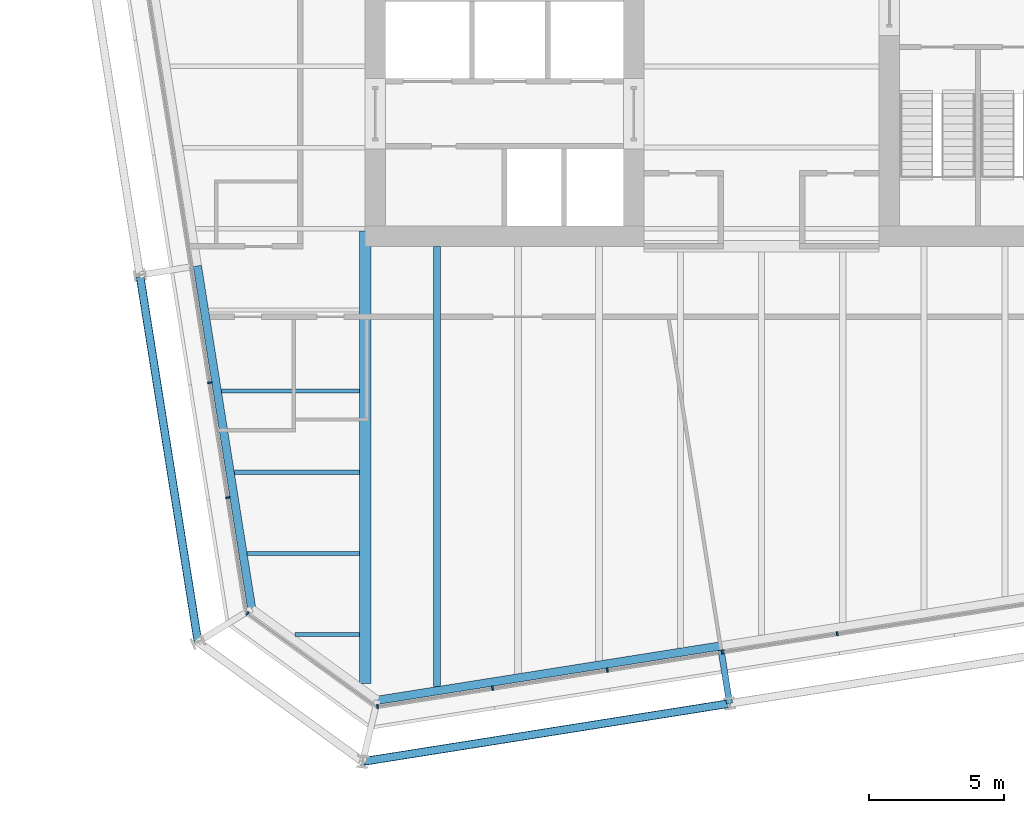
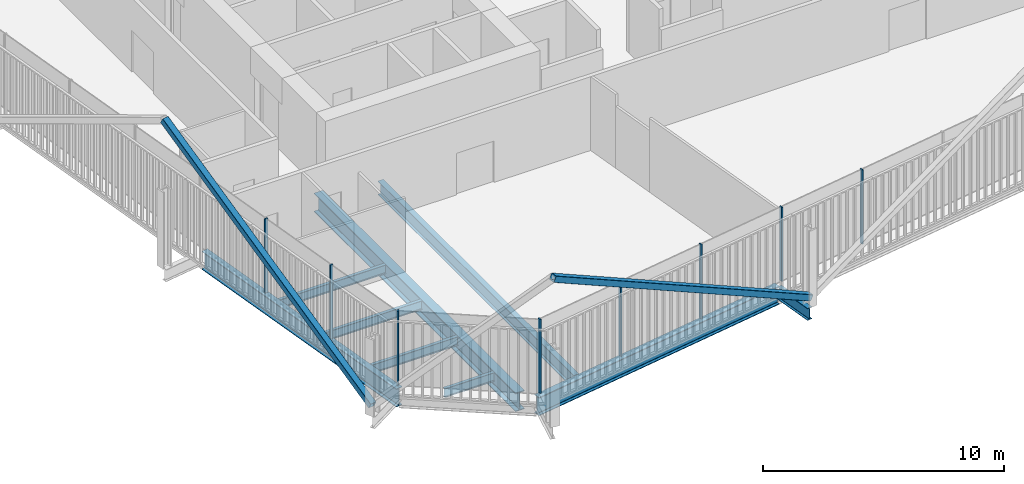
# One storey, part 2 of 22: 10 members, 9 beams, 3 elements without a shape of their own.
"""IFC4 building model written with IfcOpenShell, lengths in metres."""

from ifc_helpers import new_model, si_unit, direction, frame, origin, origin_2d, place, context, subcontext, project, spatial, rectangle, hollow_rectangle, i_section, extrude, material, layer, layer_set, material_profile, profile_set, type_object, element, aggregate, save


model = new_model("IFC4")

# Units and contexts
model_context = context("Model", 3, precision=1e-05, world=origin(), true_north=direction((0.0, 1.0)))
body_context = subcontext(model_context, "Body", "Model", "MODEL_VIEW")
ifc_project = project(units=[si_unit("LENGTHUNIT", "METRE"), si_unit("AREAUNIT", "SQUARE_METRE"), si_unit("VOLUMEUNIT", "CUBIC_METRE"), si_unit("PLANEANGLEUNIT", "RADIAN"), si_unit("MASSUNIT", "GRAM", prefix="KILO")], contexts=[model_context])

# Site, building, storey
site_placement = place(None, origin())
site = spatial("IfcSite", under=ifc_project, at=site_placement, CompositionType="ELEMENT")
building_placement = place(site_placement, origin())
building = spatial("IfcBuilding", under=site, at=building_placement, Name="Millrace Tower", CompositionType="ELEMENT")
storey_placement = place(building_placement, frame((0.0, 0.0, 160.699951171875)))
storey = spatial("IfcBuildingStorey", under=building, at=storey_placement, Name="L36", CompositionType="ELEMENT", Elevation=160.699951171875)

# Curtain wall, member
ifc_material_1 = material(Name="Aluminium and glass", Category="aluminium")
ifc_layer = layer(ifc_material_1, 0.14990234375)
ifc_layer_set = layer_set([ifc_layer], Name="Aluminium and glass")
curtain_wall_type = type_object("IfcCurtainWallType", Name="CW-1 office vision curtain wall", PredefinedType="NOTDEFINED", material=ifc_layer_set)
placement = place(storey_placement, origin())
curtain_wall_1 = element("IfcCurtainWall", 1, at=placement, inside=storey, type_object=curtain_wall_type, Name="Curtain wall C-F01 L36", PredefinedType="NOTDEFINED")
ifc_material_2 = material(Name="Aluminium", Category="aluminium")
ifc_material_profile_1 = material_profile(ifc_material_2, rectangle(XDim=0.06494140625, YDim=0.14990234375, at=origin_2d()))
ifc_profile_set_1 = profile_set([ifc_material_profile_1], Name="Aluminium")
member_type_1 = type_object("IfcMemberType", Name="CW-1 office vision curtain wall mullion", PredefinedType="MULLION", material=ifc_profile_set_1)
member_1_placement = place(storey_placement, frame((-19.00146484375, -23.2177734375, 0.14013671875), z_axis=(0.0, 0.0, 1.0), x_axis=(0.809016981623, -0.587785269844, 0.0)))
member_1 = element("IfcMember", 2, at=member_1_placement, type_object=member_type_1, Name="CW1 mullion C-F01.1", PredefinedType="MULLION", context=body_context, shape_type="SweptSolid", body=[
    extrude(rectangle(XDim=0.06494140625, YDim=0.14990234375, at=origin_2d()), origin(), (0.0, 0.0, 1.0), 3.760009765625),
])
aggregate(curtain_wall_1, [member_1])

# Curtain wall, members
curtain_wall_2 = element("IfcCurtainWall", 3, at=placement, inside=storey, type_object=curtain_wall_type, Name="Curtain wall C-F02 L36", PredefinedType="NOTDEFINED")
member_2_placement = place(storey_placement, frame((-14.191650390625, -26.65673828125, 0.14013671875), z_axis=(0.0, 0.0, 1.0), x_axis=(0.98768833929, 0.15643447328, 0.0)))
member_2 = element("IfcMember", 4, at=member_2_placement, type_object=member_type_1, Name="CW1 mullion C-F02.1", PredefinedType="MULLION", context=body_context, shape_type="SweptSolid", body=[
    extrude(rectangle(XDim=0.06494140625, YDim=0.14990234375, at=origin_2d()), origin(), (0.0, 0.0, 1.0), 3.760009765625),
])
member_3_placement = place(storey_placement, frame((-9.944580078125, -25.98388671875, 0.14013671875), z_axis=(0.0, 0.0, 1.0), x_axis=(0.98768833929, 0.15643447328, 0.0)))
member_3 = element("IfcMember", 5, at=member_3_placement, type_object=member_type_1, Name="CW1 mullion C-F02.2", PredefinedType="MULLION", context=body_context, shape_type="SweptSolid", body=[
    extrude(rectangle(XDim=0.06494140625, YDim=0.14990234375, at=origin_2d()), origin(), (0.0, 0.0, 1.0), 3.760009765625),
])
member_4_placement = place(storey_placement, frame((-5.697509765625, -25.311279296875, 0.14013671875), z_axis=(0.0, 0.0, 1.0), x_axis=(0.98768833929, 0.15643447328, 0.0)))
member_4 = element("IfcMember", 6, at=member_4_placement, type_object=member_type_1, Name="CW1 mullion C-F02.3", PredefinedType="MULLION", context=body_context, shape_type="SweptSolid", body=[
    extrude(rectangle(XDim=0.06494140625, YDim=0.14990234375, at=origin_2d()), origin(), (0.0, 0.0, 1.0), 3.760009765625),
])
member_5_placement = place(storey_placement, frame((-1.450439453125, -24.638671875, 0.14013671875), z_axis=(0.0, 0.0, 1.0), x_axis=(0.98768833929, 0.15643447328, 0.0)))
member_5 = element("IfcMember", 7, at=member_5_placement, type_object=member_type_1, Name="CW1 mullion C-F02.4", PredefinedType="MULLION", context=body_context, shape_type="SweptSolid", body=[
    extrude(rectangle(XDim=0.06494140625, YDim=0.14990234375, at=origin_2d()), origin(), (0.0, 0.0, 1.0), 3.760009765625),
])
member_6_placement = place(storey_placement, frame((2.796630859375, -23.966064453125, 0.14013671875), z_axis=(0.0, 0.0, 1.0), x_axis=(0.98768833929, 0.15643447328, 0.0)))
member_6 = element("IfcMember", 8, at=member_6_placement, type_object=member_type_1, Name="CW1 mullion C-F02.5", PredefinedType="MULLION", context=body_context, shape_type="SweptSolid", body=[
    extrude(rectangle(XDim=0.06494140625, YDim=0.14990234375, at=origin_2d()), origin(), (0.0, 0.0, 1.0), 3.760009765625),
])
aggregate(curtain_wall_2, [member_2, member_3, member_4, member_5, member_6])

curtain_wall_3 = element("IfcCurtainWall", 9, at=placement, inside=storey, type_object=curtain_wall_type, Name="Curtain wall C-F08 L36", PredefinedType="NOTDEFINED")
member_7_placement = place(storey_placement, frame((-20.39794921875, -14.687744140625, 0.14013671875), z_axis=(0.0, 0.0, 1.0), x_axis=(0.15643447328, -0.98768833929, 0.0)))
member_7 = element("IfcMember", 10, at=member_7_placement, type_object=member_type_1, Name="CW1 mullion C-F08.8", PredefinedType="MULLION", context=body_context, shape_type="SweptSolid", body=[
    extrude(rectangle(XDim=0.06494140625, YDim=0.14990234375, at=origin_2d()), origin(), (0.0, 0.0, 1.0), 3.760009765625),
])
member_8_placement = place(storey_placement, frame((-19.725341796875, -18.934814453125, 0.14013671875), z_axis=(0.0, 0.0, 1.0), x_axis=(0.15643447328, -0.98768833929, 0.0)))
member_8 = element("IfcMember", 11, at=member_8_placement, type_object=member_type_1, Name="CW1 mullion C-F08.9", PredefinedType="MULLION", context=body_context, shape_type="SweptSolid", body=[
    extrude(rectangle(XDim=0.06494140625, YDim=0.14990234375, at=origin_2d()), origin(), (0.0, 0.0, 1.0), 3.760009765625),
])
aggregate(curtain_wall_3, [member_7, member_8])

# Members
ifc_material_3 = material(Name="Steel ASTM A500 Grade C", Category="steel")
ifc_material_profile_2 = material_profile(ifc_material_3, hollow_rectangle(XDim=0.3046875, YDim=0.3046875, WallThickness=0.0126953125, InnerFilletRadius=0.00634765625, OuterFilletRadius=0.01904296875, at=origin_2d()))
ifc_profile_set_2 = profile_set([ifc_material_profile_2], Name="Steel ASTM A500 Grade C")
member_type_2 = type_object("IfcMemberType", Name="Exoskeleton brace HSS12x12x1/2", PredefinedType="BRACE", material=ifc_profile_set_2)
member_9_placement = place(storey_placement, frame((-1.181396484375, -26.545166015625, 0.400146484375), z_axis=(-0.879910131664, -0.139353430287, 0.454245287992), x_axis=(0.15642281023, -0.987690186465, 0.0)))
element("IfcMember", 12, at=member_9_placement, inside=storey, type_object=member_type_2, Name="BRC-C-L36-02", PredefinedType="BRACE", context=body_context, shape_type="SweptSolid", body=[
    extrude(hollow_rectangle(XDim=0.3046875, YDim=0.3046875, WallThickness=0.0126953125, InnerFilletRadius=0.00634765625, OuterFilletRadius=0.01904296875, at=origin_2d()), origin(), (0.0, 0.0, 1.0), 15.41015625),
])
member_10_placement = place(storey_placement, frame((-20.829345703125, -24.26904296875, 0.400146484375), z_axis=(-0.139370908249, 0.879904612171, 0.454250617407), x_axis=(-0.987687003601, -0.156442906258, 0.0)))
element("IfcMember", 13, at=member_10_placement, inside=storey, type_object=member_type_2, Name="BRC-C-L36-16", PredefinedType="BRACE", context=body_context, shape_type="SweptSolid", body=[
    extrude(hollow_rectangle(XDim=0.3046875, YDim=0.3046875, WallThickness=0.0126953125, InnerFilletRadius=0.00634765625, OuterFilletRadius=0.01904296875, at=origin_2d()), origin(), (0.0, 0.0, 1.0), 15.409912109375),
])

# Beams
ifc_material_4 = material(Name="Steel ASTM A992 Grade 50", Category="steel")
ifc_material_profile_3 = material_profile(ifc_material_4, i_section(OverallWidth=0.15234375, OverallDepth=0.449462890625, WebThickness=0.007568359375, FlangeThickness=0.0107421875, FilletRadius=0.01025390625, at=origin_2d()))
ifc_profile_set_3 = profile_set([ifc_material_profile_3], Name="Steel ASTM A992 Grade 50")
beam_type_1 = type_object("IfcBeamType", Name="Floor beam W18x35", PredefinedType="JOIST", material=ifc_profile_set_3)
beam_1_placement = place(storey_placement, frame((-19.01123046875, -21.0, -0.384765625), z_axis=(1.0, 0.0, 0.0), x_axis=(0.0, 1.0, 0.0)))
element("IfcBeam", 14, at=beam_1_placement, inside=storey, type_object=beam_type_1, Name="BM-C-L36-S1-S002", PredefinedType="JOIST", context=body_context, shape_type="SweptSolid", body=[
    extrude(i_section(OverallWidth=0.15234375, OverallDepth=0.449462890625, WebThickness=0.007568359375, FlangeThickness=0.0107421875, FilletRadius=0.01025390625, at=origin_2d()), origin(), (0.0, 0.0, 1.0), 4.151611328125),
])
beam_2_placement = place(storey_placement, frame((-19.486328125, -18.0, -0.384765625), z_axis=(1.0, 0.0, 0.0), x_axis=(0.0, 1.0, 0.0)))
element("IfcBeam", 15, at=beam_2_placement, inside=storey, type_object=beam_type_1, Name="BM-C-L36-S1-S004", PredefinedType="JOIST", context=body_context, shape_type="SweptSolid", body=[
    extrude(i_section(OverallWidth=0.15234375, OverallDepth=0.449462890625, WebThickness=0.007568359375, FlangeThickness=0.0107421875, FilletRadius=0.01025390625, at=origin_2d()), origin(), (0.0, 0.0, 1.0), 4.626708984375),
])
beam_3_placement = place(storey_placement, frame((-19.96142578125, -15.0, -0.384765625), z_axis=(1.0, 0.0, 0.0), x_axis=(0.0, 1.0, 0.0)))
element("IfcBeam", 16, at=beam_3_placement, inside=storey, type_object=beam_type_1, Name="BM-C-L36-S1-S006", PredefinedType="JOIST", context=body_context, shape_type="SweptSolid", body=[
    extrude(i_section(OverallWidth=0.15234375, OverallDepth=0.449462890625, WebThickness=0.007568359375, FlangeThickness=0.0107421875, FilletRadius=0.01025390625, at=origin_2d()), origin(), (0.0, 0.0, 1.0), 5.101806640625),
])
beam_4_placement = place(storey_placement, frame((-17.246337890625, -24.0, -0.384765625), z_axis=(1.0, 0.0, 0.0), x_axis=(0.0, 1.0, 0.0)))
element("IfcBeam", 17, at=beam_4_placement, inside=storey, type_object=beam_type_1, Name="BM-C-L36-S1-S001", PredefinedType="JOIST", context=body_context, shape_type="SweptSolid", body=[
    extrude(i_section(OverallWidth=0.15234375, OverallDepth=0.449462890625, WebThickness=0.007568359375, FlangeThickness=0.0107421875, FilletRadius=0.01025390625, at=origin_2d()), origin(), (0.0, 0.0, 1.0), 2.38671875),
])
ifc_material_5 = material(Name="Steel ASTM A992 Grade 50", Category="steel")
ifc_material_profile_4 = material_profile(ifc_material_5, i_section(OverallWidth=0.256591796875, OverallDepth=0.693359375, WebThickness=0.014404296875, FlangeThickness=0.023681640625, FilletRadius=0.01513671875, at=origin_2d()))
ifc_profile_set_4 = profile_set([ifc_material_profile_4], Name="Steel ASTM A992 Grade 50")
beam_type_2 = type_object("IfcBeamType", Name="Floor beam W27x114", PredefinedType="JOIST", material=ifc_profile_set_4)
beam_5_placement = place(storey_placement, frame((-12.0, -25.92236328125, -0.506591796875), z_axis=(0.0, 1.0, 0.0), x_axis=(-1.0, 0.0, 0.0)))
element("IfcBeam", 18, at=beam_5_placement, inside=storey, type_object=beam_type_2, Name="BM-C-L36-S1-S040", PredefinedType="JOIST", context=body_context, shape_type="SweptSolid", body=[
    extrude(i_section(OverallWidth=0.256591796875, OverallDepth=0.693359375, WebThickness=0.014404296875, FlangeThickness=0.023681640625, FilletRadius=0.01513671875, at=origin_2d()), origin(), (0.0, 0.0, 1.0), 16.2724609375),
])
ifc_material_6 = material(Name="Steel ASTM A992 Grade 50", Category="steel")
ifc_material_profile_5 = material_profile(ifc_material_6, i_section(OverallWidth=0.424072265625, OverallDepth=0.947509765625, WebThickness=0.02392578125, FlangeThickness=0.042724609375, FilletRadius=0.024169921875, at=origin_2d()))
ifc_profile_set_5 = profile_set([ifc_material_profile_5], Name="Steel ASTM A992 Grade 50")
beam_type_3 = type_object("IfcBeamType", Name="Girder medium span W36x302", PredefinedType="BEAM", material=ifc_profile_set_5)
beam_6_placement = place(storey_placement, frame((-14.64990234375, -25.806640625, -0.633544921875), z_axis=(0.0, 1.0, 0.0), x_axis=(-1.0, 0.0, 0.0)))
element("IfcBeam", 19, at=beam_6_placement, inside=storey, type_object=beam_type_3, Name="BM-C-L36-S1-G058", PredefinedType="BEAM", context=body_context, shape_type="SweptSolid", body=[
    extrude(i_section(OverallWidth=0.424072265625, OverallDepth=0.947509765625, WebThickness=0.02392578125, FlangeThickness=0.042724609375, FilletRadius=0.024169921875, at=origin_2d()), origin(), (0.0, 0.0, 1.0), 16.720703125),
])
ifc_material_7 = material(Name="Steel ASTM A992 Grade 50", Category="steel")
ifc_material_profile_6 = material_profile(ifc_material_7, i_section(OverallWidth=0.23046875, OverallDepth=0.6171875, WebThickness=0.01318359375, FlangeThickness=0.022216796875, FilletRadius=0.012939453125, at=origin_2d()))
ifc_profile_set_6 = profile_set([ifc_material_profile_6], Name="Steel ASTM A992 Grade 50")
beam_type_4 = type_object("IfcBeamType", Name="Link beam W24x94", PredefinedType="BEAM", material=ifc_profile_set_6)
beam_7_placement = place(storey_placement, frame((-1.494384765625, -24.569580078125, -0.468505859375), z_axis=(0.156476509441, -0.987681680499, 0.0), x_axis=(0.987681680499, 0.156476509441, 0.0)))
element("IfcBeam", 20, at=beam_7_placement, inside=storey, type_object=beam_type_4, Name="LNK-C-L36-S1-15", PredefinedType="BEAM", context=body_context, shape_type="SweptSolid", body=[
    extrude(i_section(OverallWidth=0.23046875, OverallDepth=0.6171875, WebThickness=0.01318359375, FlangeThickness=0.022216796875, FilletRadius=0.012939453125, at=origin_2d()), origin(), (0.0, 0.0, 1.0), 2.000244140625),
])
ifc_material_8 = material(Name="Steel ASTM A992 Grade 50", Category="steel")
ifc_material_profile_7 = material_profile(ifc_material_8, i_section(OverallWidth=0.307373046875, OverallDepth=0.927001953125, WebThickness=0.01953125, FlangeThickness=0.031982421875, FilletRadius=0.01904296875, at=origin_2d()))
ifc_profile_set_7 = profile_set([ifc_material_profile_7], Name="Steel ASTM A992 Grade 50")
beam_type_5 = type_object("IfcBeamType", Name="Ring beam medium span W36x194", PredefinedType="SPANDREL", material=ifc_profile_set_7)
beam_8_placement = place(storey_placement, frame((-18.841796875, -23.051025390625, -0.62353515625), z_axis=(-0.156436246498, 0.987688058438, 0.0), x_axis=(-0.987688058438, -0.156436246498, 0.0)))
element("IfcBeam", 21, at=beam_8_placement, inside=storey, type_object=beam_type_5, Name="RNG-C-L36-S1-01", PredefinedType="SPANDREL", context=body_context, shape_type="SweptSolid", body=[
    extrude(i_section(OverallWidth=0.307373046875, OverallDepth=0.927001953125, WebThickness=0.01953125, FlangeThickness=0.031982421875, FilletRadius=0.01904296875, at=origin_2d()), origin(), (0.0, 0.0, 1.0), 12.836181640625),
])
beam_9_placement = place(storey_placement, frame((-1.518310546875, -24.41796875, -0.62353515625), z_axis=(-0.987688523879, -0.15643330783, 0.0), x_axis=(0.15643330783, -0.987688523879, 0.0)))
element("IfcBeam", 22, at=beam_9_placement, inside=storey, type_object=beam_type_5, Name="RNG-C-L36-S1-15", PredefinedType="SPANDREL", context=body_context, shape_type="SweptSolid", body=[
    extrude(i_section(OverallWidth=0.307373046875, OverallDepth=0.927001953125, WebThickness=0.01953125, FlangeThickness=0.031982421875, FilletRadius=0.01904296875, at=origin_2d()), origin(), (0.0, 0.0, 1.0), 12.83642578125),
])

save(model, "model.ifc")
